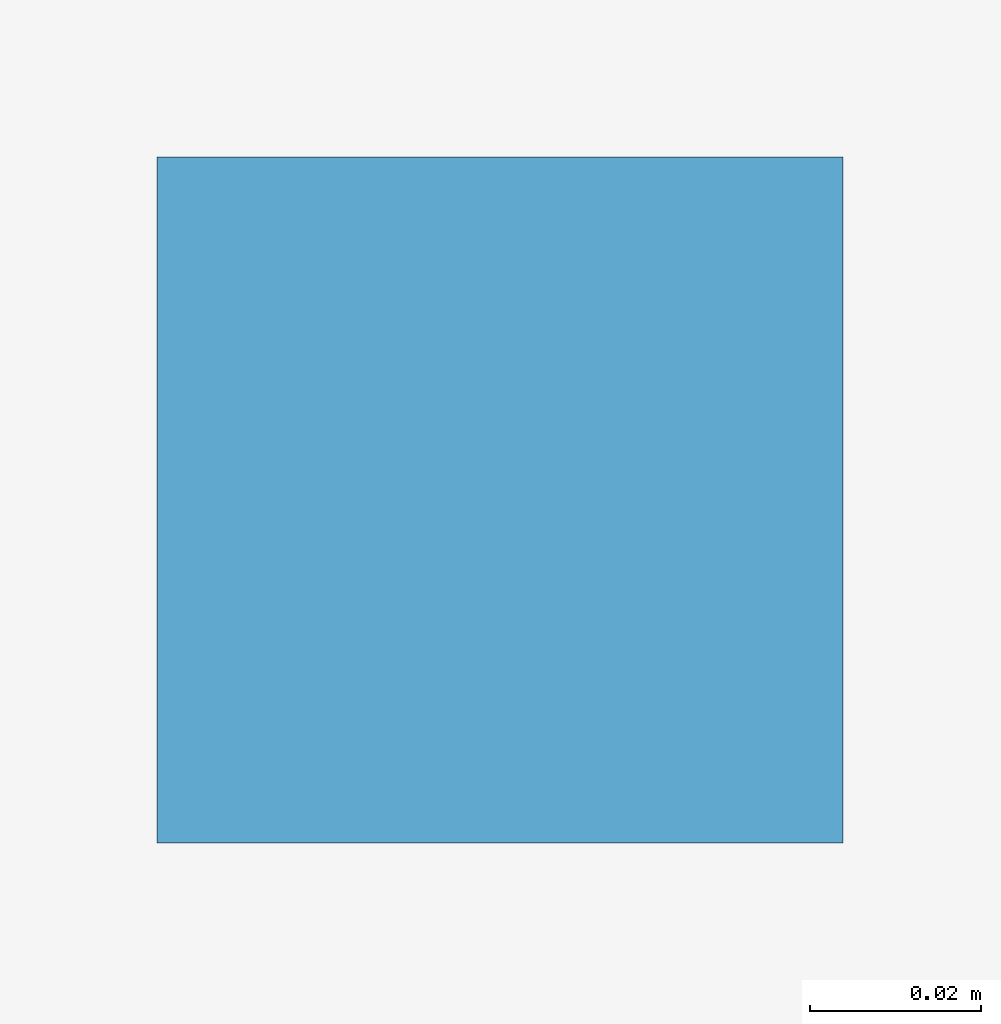
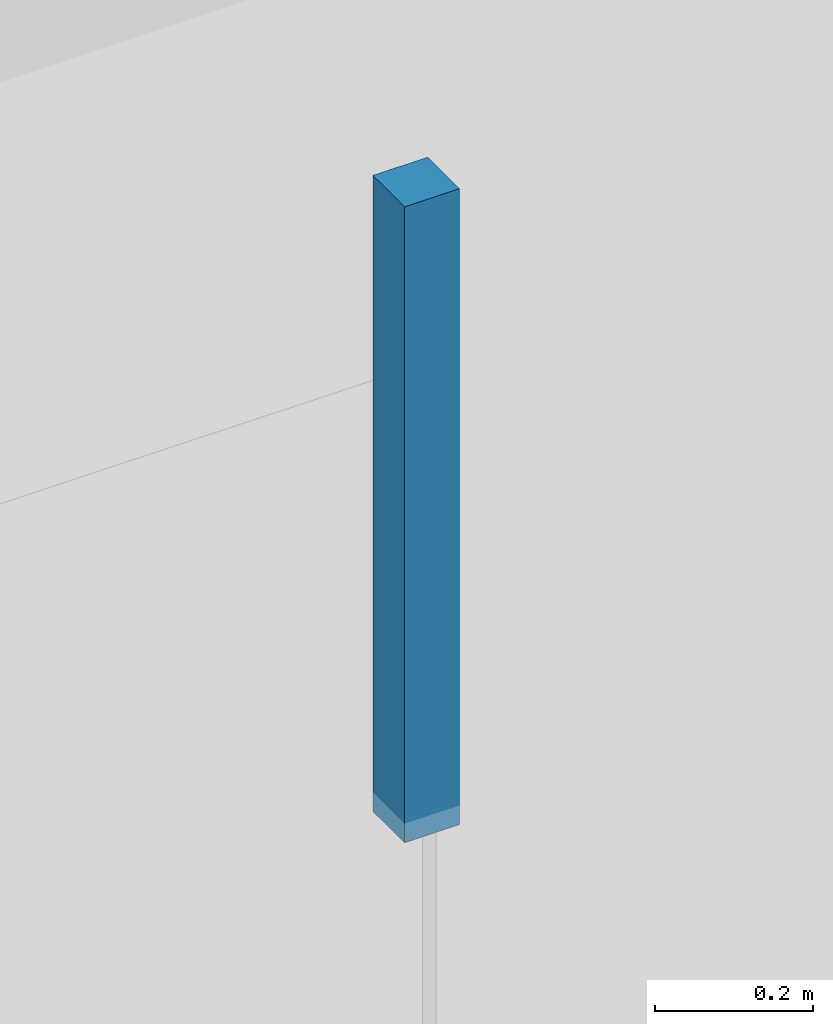
# One storey, part 11 of 15: 1 discrete accessory.
"""IFC4 building model written with IfcOpenShell, lengths in metres."""

import ifcopenshell
import ifcopenshell.guid

model = None  # the IFC model being written
_history = None  # IfcOwnerHistory: only IFC2X3 demands one
_inside = {}  # id of a spatial element -> (the spatial element, [elements in it])
_under = {}  # id of a project, library or spatial element -> (it, [spatial elements below it])
_declared = {}  # id of a project -> (the project, [libraries it declares])
_typed = {}  # id of a type object -> (the type object, [elements of that type])
_made_of = {}  # id of a material, layer set ... -> (it, [elements and type objects made of it])


def new_model(schema):
    """Start an empty IFC model of exactly this schema.

    Asked for "IFC4X3", IfcOpenShell would pick the latest addendum, in which some entities
    have other attributes; the version numbers below select the first issue.
    IFC2X3 requires an IfcOwnerHistory on every rooted entity: one is made here for all.
    """
    global model, _history
    if schema == "IFC4X3":
        model = ifcopenshell.file(schema_version=(4, 3, 0, 0))
    else:
        model = ifcopenshell.file(schema=schema)
    _inside.clear()
    _under.clear()
    _declared.clear()
    _typed.clear()
    _made_of.clear()
    _history = None
    if model.schema == "IFC2X3":
        org = make("IfcOrganization", Name="unknown")
        user = make(
            "IfcPersonAndOrganization",
            ThePerson=make("IfcPerson", FamilyName="unknown"),
            TheOrganization=org,
        )
        app = make(
            "IfcApplication",
            ApplicationDeveloper=org,
            Version="unknown",
            ApplicationFullName="unknown",
            ApplicationIdentifier="unknown",
        )
        _history = make(
            "IfcOwnerHistory",
            OwningUser=user,
            OwningApplication=app,
            ChangeAction="ADDED",
            CreationDate=0,
        )
    return model


def make(cls, **values):
    """One entity of the class cls with the attributes given. An attribute that is None is left unset."""
    return model.create_entity(
        cls, **{name: value for name, value in values.items() if value is not None}
    )


def rooted(cls, **values):
    """An entity with a GlobalId (a new one), such as an element, a storey or a relation."""
    return make(cls, GlobalId=ifcopenshell.guid.new(), OwnerHistory=_history, **values)


def si_unit(unit_type, name, prefix=None):
    """IfcSIUnit, for example si_unit("LENGTHUNIT", "METRE", prefix="MILLI")."""
    return make("IfcSIUnit", UnitType=unit_type, Prefix=prefix, Name=name)


def assignment(units):
    """IfcUnitAssignment: the units of a project."""
    return None if units is None else make("IfcUnitAssignment", Units=units)


def point(xyz):
    """IfcCartesianPoint."""
    return None if xyz is None else make("IfcCartesianPoint", Coordinates=xyz)


def direction(xyz):
    """IfcDirection."""
    return None if xyz is None else make("IfcDirection", DirectionRatios=xyz)


def frame(location, z_axis=None, x_axis=None):
    """IfcAxis2Placement3D, a coordinate frame: its origin and axes. An axis left out is left unset."""
    return make(
        "IfcAxis2Placement3D",
        Location=point(location),
        Axis=direction(z_axis),
        RefDirection=direction(x_axis),
    )


def frame_2d(location, x_axis=None):
    """IfcAxis2Placement2D, a coordinate frame in the plane: its origin and x axis."""
    return make(
        "IfcAxis2Placement2D", Location=point(location), RefDirection=direction(x_axis)
    )


def origin():
    """The frame at (0, 0, 0) with its axes left unset."""
    return frame((0.0, 0.0, 0.0))


def origin_2d():
    """The frame at (0, 0) in the plane with its x axis left unset."""
    return frame_2d((0.0, 0.0))


def place(relative_to, where):
    """IfcLocalPlacement: puts the frame where relative to a parent placement (None: the world)."""
    return make(
        "IfcLocalPlacement", PlacementRelTo=relative_to, RelativePlacement=where
    )


def context(
    kind, dimensions, precision=None, world=None, true_north=None, identifier=None
):
    """IfcGeometricRepresentationContext, for example the 3D "Model" context."""
    return make(
        "IfcGeometricRepresentationContext",
        ContextIdentifier=identifier,
        ContextType=kind,
        CoordinateSpaceDimension=dimensions,
        Precision=precision,
        WorldCoordinateSystem=world,
        TrueNorth=true_north,
    )


def subcontext(parent, identifier, kind, view, scale=None):
    """IfcGeometricRepresentationSubContext, for example "Body" below "Model"."""
    return make(
        "IfcGeometricRepresentationSubContext",
        ContextIdentifier=identifier,
        ContextType=kind,
        ParentContext=parent,
        TargetScale=scale,
        TargetView=view,
    )


def project(units=None, contexts=None):
    """IfcProject with its units and contexts."""
    return rooted(
        "IfcProject",
        Name="project",
        RepresentationContexts=contexts,
        UnitsInContext=assignment(units),
    )


def spatial(cls, under=None, at=None, **own):
    """A site, building, storey or space (cls), placed at a placement, below another one or the project."""
    s = rooted(cls, ObjectPlacement=at, **own)
    if under is not None:
        _under.setdefault(under.id(), (under, []))[1].append(s)
    return s


def profile(cls, at=None, kind="AREA", **sizes):
    """A parametric profile (cls). Its sizes go by their IFC names, for example OverallWidth=200.0."""
    return make(cls, ProfileType=kind, Position=at, **sizes)


def rectangle(**sizes):
    """IfcRectangleProfileDef."""
    return profile("IfcRectangleProfileDef", **sizes)


def extrude(swept, where, along, depth):
    """IfcExtrudedAreaSolid: the profile swept, set in the frame where, extruded along a direction by depth."""
    return make(
        "IfcExtrudedAreaSolid",
        SweptArea=swept,
        Position=where,
        ExtrudedDirection=direction(along),
        Depth=depth,
    )


def shape(context_of_items, identifier, shape_type, items):
    """IfcShapeRepresentation: the items that make up one representation, for example the "Body"."""
    return make(
        "IfcShapeRepresentation",
        ContextOfItems=context_of_items,
        RepresentationIdentifier=identifier,
        RepresentationType=shape_type,
        Items=items,
    )


def source(mapping_origin, context_of_items, identifier, shape_type, items):
    """IfcRepresentationMap: a shape defined once, which mapped items show again and again."""
    return make(
        "IfcRepresentationMap",
        MappingOrigin=mapping_origin,
        MappedRepresentation=shape(context_of_items, identifier, shape_type, items),
    )


def transform(
    local_origin,
    x_axis=None,
    y_axis=None,
    z_axis=None,
    scale=None,
    scale2=None,
    scale3=None,
    uniform=True,
):
    """IfcCartesianTransformationOperator3D, or its non-uniform kind. x_axis, y_axis, z_axis: its Axis1, 2, 3."""
    if uniform:
        return make(
            "IfcCartesianTransformationOperator3D",
            Axis1=direction(x_axis),
            Axis2=direction(y_axis),
            LocalOrigin=point(local_origin),
            Scale=scale,
            Axis3=direction(z_axis),
        )
    return make(
        "IfcCartesianTransformationOperator3DnonUniform",
        Axis1=direction(x_axis),
        Axis2=direction(y_axis),
        LocalOrigin=point(local_origin),
        Scale=scale,
        Axis3=direction(z_axis),
        Scale2=scale2,
        Scale3=scale3,
    )


def mapped(mapping_source, mapping_target):
    """IfcMappedItem: shows the shape of a source again, moved by a transform."""
    return make(
        "IfcMappedItem", MappingSource=mapping_source, MappingTarget=mapping_target
    )


def material(Name=None, Category=None):
    """IfcMaterial."""
    return make("IfcMaterial", Name=Name, Category=Category)


def made_of(thing, what):
    """Note that an element or type object is made of a material, layer set ...; save() writes the relation."""
    if what is not None:
        _made_of.setdefault(what.id(), (what, []))[1].append(thing)
    return thing


def type_object(cls, material=None, **own):
    """A type object (cls), such as IfcWallType, which elements share."""
    return made_of(rooted(cls, **own), material)


def element(
    cls,
    number,
    at=None,
    inside=None,
    cuts=None,
    type_object=None,
    material=None,
    context=None,
    identifier="Body",
    shape_type=None,
    held_by="IfcProductDefinitionShape",
    body=None,
    shapes=None,
    **own,
):
    """One element of the class cls, such as IfcWall. Its Tag is "e" and its number.

    at: its placement. inside: the storey or other place that contains it. cuts: it is an
    opening in that element (IfcRelVoidsElement). A single representation is given by context,
    identifier, shape_type and body (its items); several are given by shapes. held_by: the class
    of the entity that holds the representations. save() writes the other relations.
    """
    e = rooted(cls, Tag="e%d" % number, ObjectPlacement=at, **own)
    if body is not None:
        shapes = [shape(context, identifier, shape_type, body)]
    if shapes is not None:
        e.Representation = make(held_by, Representations=shapes)
    if inside is not None:
        _inside.setdefault(inside.id(), (inside, []))[1].append(e)
    if cuts is not None:
        rooted(
            "IfcRelVoidsElement", RelatingBuildingElement=cuts, RelatedOpeningElement=e
        )
    if type_object is not None:
        _typed.setdefault(type_object.id(), (type_object, []))[1].append(e)
    return made_of(e, material)


def aggregate(whole, parts):
    """IfcRelAggregates: a whole, such as a stair, and the parts it consists of."""
    return rooted("IfcRelAggregates", RelatingObject=whole, RelatedObjects=parts)


def save(model, path):
    """Write the relations noted so far, then the file.

    IfcRelAggregates (storeys below a building ...), IfcRelContainedInSpatialStructure (elements
    in a storey), IfcRelDefinesByType, IfcRelAssociatesMaterial and IfcRelDeclares: one each for
    every whole, place, type object, material and project.
    """
    for whole, parts in _under.values():
        aggregate(whole, parts)
    for where, things in _inside.values():
        rooted(
            "IfcRelContainedInSpatialStructure",
            RelatedElements=things,
            RelatingStructure=where,
        )
    for kind, things in _typed.values():
        rooted("IfcRelDefinesByType", RelatedObjects=things, RelatingType=kind)
    for what, things in _made_of.values():
        rooted("IfcRelAssociatesMaterial", RelatedObjects=things, RelatingMaterial=what)
    for by, libraries in _declared.values():
        rooted("IfcRelDeclares", RelatingContext=by, RelatedDefinitions=libraries)
    model.write(path)


model = new_model("IFC4")

# Units and contexts
model_context = context("Model", 3, precision=1e-05, world=origin(), true_north=direction((0.0, 1.0)))
body_context = subcontext(model_context, "Body", "Model", "MODEL_VIEW")
ifc_project = project(units=[si_unit("LENGTHUNIT", "METRE"), si_unit("AREAUNIT", "SQUARE_METRE"), si_unit("VOLUMEUNIT", "CUBIC_METRE"), si_unit("PLANEANGLEUNIT", "RADIAN"), si_unit("MASSUNIT", "GRAM", prefix="KILO")], contexts=[model_context])

# Site, building, storey
site_placement = place(None, origin())
site = spatial("IfcSite", under=ifc_project, at=site_placement, CompositionType="ELEMENT")
building_placement = place(site_placement, origin())
building = spatial("IfcBuilding", under=site, at=building_placement, Name="Giltprow Tower", CompositionType="ELEMENT")
storey_placement = place(building_placement, frame((0.0, 0.0, 107.5)))
storey = spatial("IfcBuildingStorey", under=building, at=storey_placement, Name="L26", CompositionType="ELEMENT", Elevation=107.5)

# Discrete accessory
ifc_material = material(Name="Structural steel Q355B", Category="steel")
discrete_accessory_type = type_object("IfcDiscreteAccessoryType", Name="ACC-CLG-HANGER", PredefinedType="BRACKET", material=ifc_material)
shared_shape = source(origin(), body_context, "Body", "SweptSolid", [
    extrude(rectangle(XDim=0.080078125, YDim=0.080078125, at=origin_2d()), origin(), (0.0, 0.0, 1.0), 0.97998046875),
])
discrete_accessory_placement = place(storey_placement, frame((25.39990234375, 20.320068359375, 2.719970703125), z_axis=(0.0, 0.0, 1.0), x_axis=(1.0, 0.0, 0.0)))
element("IfcDiscreteAccessory", 1, at=discrete_accessory_placement, inside=storey, type_object=discrete_accessory_type, Name="L26 Office Acoustic Ceiling Suspension Hanger", PredefinedType="BRACKET", context=body_context, shape_type="MappedRepresentation", body=[
    mapped(shared_shape, transform((0.0, 0.0, 0.0), x_axis=(1.0, 0.0, 0.0), y_axis=(0.0, 1.0, 0.0), z_axis=(0.0, 0.0, 1.0), scale=1.0)),
])

save(model, "model.ifc")
